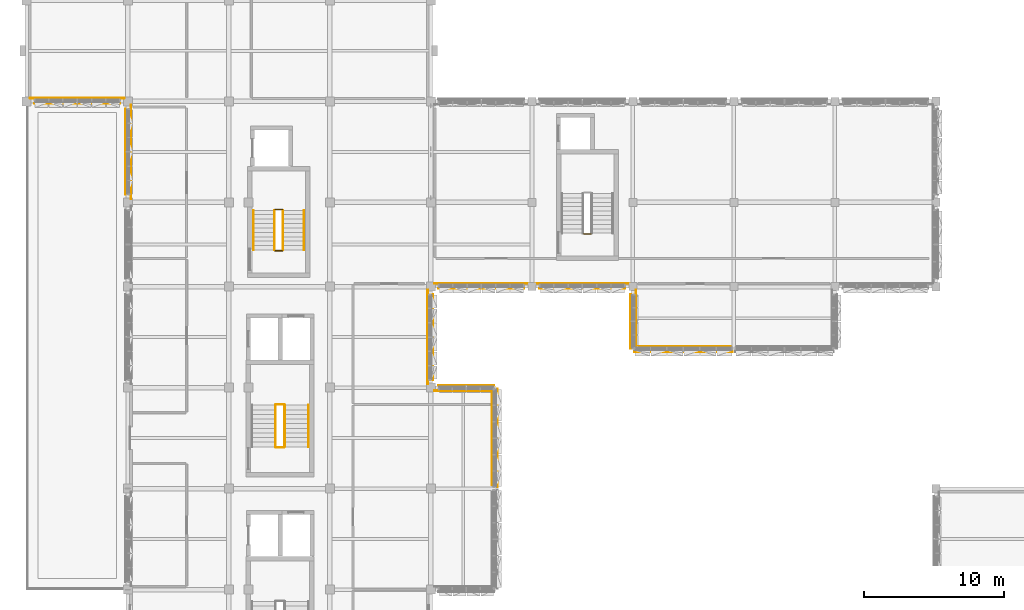
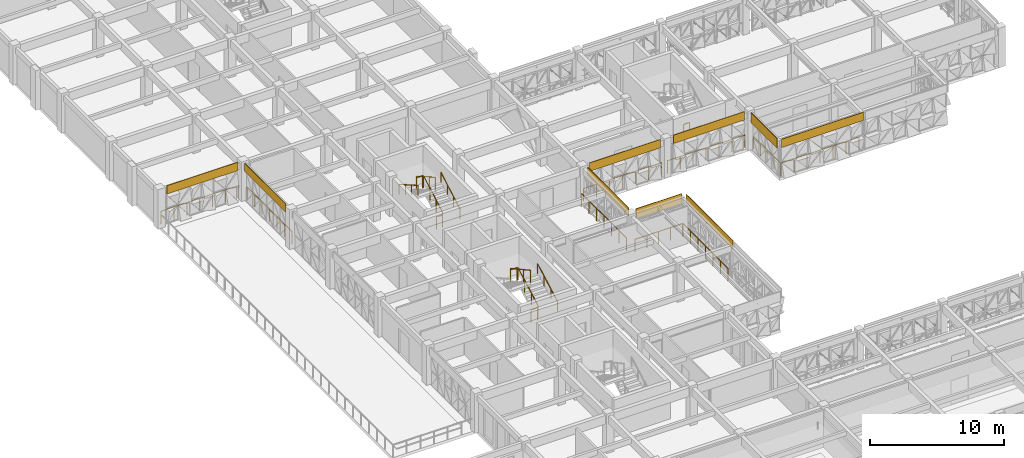
# One storey, part 70 of 85: 21 railings, 9 coverings.
"""IFC4 building model written with IfcOpenShell, lengths in metres."""

from ifc_helpers import new_model, si_unit, direction, frame, origin, origin_2d, place, context, subcontext, project, spatial, polyline, circle, outline, extrude, material, layer, layer_set, type_object, element, save


model = new_model("IFC4")

# Units and contexts
model_context = context("Model", 3, precision=1e-05, world=origin(), true_north=direction((0.0, 1.0)))
body_context = subcontext(model_context, "Body", "Model", "MODEL_VIEW")
ifc_project = project(units=[si_unit("LENGTHUNIT", "METRE"), si_unit("AREAUNIT", "SQUARE_METRE"), si_unit("VOLUMEUNIT", "CUBIC_METRE"), si_unit("PLANEANGLEUNIT", "RADIAN"), si_unit("MASSUNIT", "GRAM", prefix="KILO")], contexts=[model_context])

# Site, building, storey
site_placement = place(None, origin())
site = spatial("IfcSite", under=ifc_project, at=site_placement, CompositionType="ELEMENT")
building_placement = place(site_placement, origin())
building = spatial("IfcBuilding", under=site, at=building_placement, Name="Alvorim Cloister Faculty of Sciences", CompositionType="ELEMENT")
storey_placement = place(building_placement, frame((0.0, 0.0, 8.550048828125)))
storey = spatial("IfcBuildingStorey", under=building, at=storey_placement, Name="L02", CompositionType="ELEMENT", Elevation=8.550048828125)

# Coverings
ifc_material_1 = material(Name="Anodised Aluminium Alloy 6063-T6", Category="aluminium")
ifc_layer = layer(ifc_material_1, 0.031982421875)
ifc_layer_set = layer_set([ifc_layer], Name="Anodised Aluminium Alloy 6063-T6")
covering_type = type_object("IfcCoveringType", Name="COV-FAC-CAS", PredefinedType="CLADDING", material=ifc_layer_set)
for number, where, z_axis, x_axis, name in (
    (1, (7.050048828125, 49.739990234375, 2.829833984375), (0.0, 0.0, 1.0), (0.0, 1.0, 0.0), "L02 Shifted Bar Slab-Edge Architectural Fascia"),
    (2, (0.5400390625, 56.25, 2.829833984375), (0.0, 0.0, 1.0), (1.0, 0.0, 0.0), "L02 Shifted Bar Slab-Edge Architectural Fascia"),
):
    element("IfcCovering", number, at=place(storey_placement, frame(where, z_axis=z_axis, x_axis=x_axis)), inside=storey, type_object=covering_type, Name=name, PredefinedType="CLADDING", context=body_context, shape_type="SweptSolid", body=[
        extrude(outline(polyline([(0.0, 0.0), (6.1201171875, 0.0), (6.1201171875, 0.760009765625), (0.0, 0.760009765625), (0.0, 0.0)])), frame((0.0, 0.0224609375, 0.0), z_axis=(0.0, -1.0, 0.0), x_axis=(1.0, 0.0, 0.0)), (0.0, 0.0, 1.0), 0.044921875),
    ])
covering_1_placement = place(storey_placement, frame((43.280029296875, 38.550048828125, 2.8369140625), z_axis=(0.0, 0.0, 1.0), x_axis=(1.0, 0.0, 0.0)))
element("IfcCovering", 3, at=covering_1_placement, inside=storey, type_object=covering_type, Name="L02 Shifted Bar Slab-Edge Architectural Fascia", PredefinedType="CLADDING", context=body_context, shape_type="SweptSolid", body=[
    extrude(outline(polyline([(0.0, 0.0), (7.0400390625, 0.0), (7.0400390625, 0.7529296875), (0.0, 0.7529296875), (0.0, 0.0)])), frame((0.0, 0.0224609375, 0.0), z_axis=(0.0, -1.0, 0.0), x_axis=(1.0, 0.0, 0.0)), (0.0, 0.0, 1.0), 0.044921875),
])
covering_2_placement = place(storey_placement, frame((43.050048828125, 38.780029296875, 2.68603515625), z_axis=(0.0, 0.0, 1.0), x_axis=(0.0, 1.0, 0.0)))
element("IfcCovering", 4, at=covering_2_placement, inside=storey, type_object=covering_type, Name="L02 Shifted Bar Slab-Edge Architectural Fascia", PredefinedType="CLADDING", context=body_context, shape_type="SweptSolid", body=[
    extrude(outline(polyline([(0.0, 0.0), (3.8798828125, 0.0), (3.8798828125, 0.90380859375), (0.0, 0.90380859375), (0.0, 0.0)])), frame((0.0, 0.0224609375, 0.0), z_axis=(0.0, -1.0, 0.0), x_axis=(1.0, 0.0, 0.0)), (0.0, 0.0, 1.0), 0.044921875),
])
for number, where, z_axis, x_axis, name in (
    (5, (36.5400390625, 43.050048828125, 2.829833984375), (0.0, 0.0, 1.0), (1.0, 0.0, 0.0), "L02 Shifted Bar Slab-Edge Architectural Fascia"),
    (6, (29.340087890625, 43.050048828125, 2.829833984375), (0.0, 0.0, 1.0), (1.0, 0.0, 0.0), "L02 Shifted Bar Slab-Edge Architectural Fascia"),
    (7, (28.949951171875, 36.5400390625, 2.829833984375), (0.0, 0.0, 1.0), (0.0, 1.0, 0.0), "L02 Shifted Bar Slab-Edge Architectural Fascia"),
):
    element("IfcCovering", number, at=place(storey_placement, frame(where, z_axis=z_axis, x_axis=x_axis)), inside=storey, type_object=covering_type, Name=name, PredefinedType="CLADDING", context=body_context, shape_type="SweptSolid", body=[
        extrude(outline(polyline([(0.0, 0.0), (6.1201171875, 0.0), (6.1201171875, 0.760009765625), (0.0, 0.760009765625), (0.0, 0.0)])), frame((0.0, 0.0224609375, 0.0), z_axis=(0.0, -1.0, 0.0), x_axis=(1.0, 0.0, 0.0)), (0.0, 0.0, 1.0), 0.044921875),
    ])
covering_3_placement = place(storey_placement, frame((29.340087890625, 36.14990234375, 2.68603515625), z_axis=(0.0, 0.0, 1.0), x_axis=(1.0, 0.0, 0.0)))
element("IfcCovering", 8, at=covering_3_placement, inside=storey, type_object=covering_type, Name="L02 Shifted Bar Slab-Edge Architectural Fascia", PredefinedType="CLADDING", context=body_context, shape_type="SweptSolid", body=[
    extrude(outline(polyline([(0.0, 0.0), (3.97998046875, 0.0), (3.97998046875, 0.90380859375), (0.0, 0.90380859375), (0.0, 0.0)])), frame((0.0, 0.0224609375, 0.0), z_axis=(0.0, -1.0, 0.0), x_axis=(1.0, 0.0, 0.0)), (0.0, 0.0, 1.0), 0.044921875),
])
covering_4_placement = place(storey_placement, frame((33.550048828125, 28.8798828125, 2.8369140625), z_axis=(0.0, 0.0, 1.0), x_axis=(0.0, 1.0, 0.0)))
element("IfcCovering", 9, at=covering_4_placement, inside=storey, type_object=covering_type, Name="L02 Shifted Bar Slab-Edge Architectural Fascia", PredefinedType="CLADDING", context=body_context, shape_type="SweptSolid", body=[
    extrude(outline(polyline([(0.0, 0.0), (7.0400390625, 0.0), (7.0400390625, 0.7529296875), (0.0, 0.7529296875), (0.0, 0.0)])), frame((0.0, 0.0224609375, 0.0), z_axis=(0.0, -1.0, 0.0), x_axis=(1.0, 0.0, 0.0)), (0.0, 0.0, 1.0), 0.044921875),
])

# Railings
ifc_material_2 = material(Name="Laminated Safety Glass and Bronze", Category="glass")
railing_type_1 = type_object("IfcRailingType", Name="RL-ATR-BAL-1150", PredefinedType="BALUSTRADE", material=ifc_material_2)
railing_1_placement = place(storey_placement, frame((7.419921875, 49.449951171875, 0.0)))
element("IfcRailing", 10, at=railing_1_placement, inside=storey, type_object=railing_type_1, Name="L02 Curtain Wall Sill Guard BL-48", PredefinedType="BALUSTRADE", context=body_context, shape_type="SweptSolid", body=[
    extrude(circle(Radius=0.02392578125, at=origin_2d()), frame((0.0, 0.0, 1.1259765625), z_axis=(0.0, 1.0, 0.0), x_axis=(-1.0, 0.0, 0.0)), (0.0, 0.0, 1.0), 6.699951171875),
    extrude(circle(Radius=0.02099609375, at=origin_2d()), origin(), (0.0, 0.0, 1.0), 1.101806640625),
    extrude(circle(Radius=0.02099609375, at=origin_2d()), frame((0.0, 1.11669921875, 0.0)), (0.0, 0.0, 1.0), 1.101806640625),
    extrude(circle(Radius=0.02099609375, at=origin_2d()), frame((0.0, 2.2333984375, 0.0)), (0.0, 0.0, 1.0), 1.101806640625),
    extrude(circle(Radius=0.02099609375, at=origin_2d()), frame((0.0, 3.35009765625, 0.0)), (0.0, 0.0, 1.0), 1.101806640625),
    extrude(circle(Radius=0.02099609375, at=origin_2d()), frame((0.0, 4.466552734375, 0.0)), (0.0, 0.0, 1.0), 1.101806640625),
    extrude(circle(Radius=0.02099609375, at=origin_2d()), frame((0.0, 5.583251953125, 0.0)), (0.0, 0.0, 1.0), 1.101806640625),
    extrude(circle(Radius=0.02099609375, at=origin_2d()), frame((0.0, 6.699951171875, 0.0)), (0.0, 0.0, 1.0), 1.101806640625),
])
for number, where, name in (
    (11, (0.25, 56.6201171875, 0.0), "L02 Curtain Wall Sill Guard BL-49"),
    (12, (43.449951171875, 38.919921875, 0.0), "L02 Curtain Wall Sill Guard BL-60"),
):
    element("IfcRailing", number, at=place(storey_placement, frame(where)), inside=storey, type_object=railing_type_1, Name=name, PredefinedType="BALUSTRADE", context=body_context, shape_type="SweptSolid", body=[
        extrude(circle(Radius=0.02392578125, at=origin_2d()), frame((0.0, 0.0, 1.1259765625), z_axis=(1.0, 0.0, 0.0), x_axis=(0.0, 1.0, 0.0)), (0.0, 0.0, 1.0), 6.699951171875),
        extrude(circle(Radius=0.02099609375, at=origin_2d()), origin(), (0.0, 0.0, 1.0), 1.101806640625),
        extrude(circle(Radius=0.02099609375, at=origin_2d()), frame((1.11669921875, 0.0, 0.0)), (0.0, 0.0, 1.0), 1.101806640625),
        extrude(circle(Radius=0.02099609375, at=origin_2d()), frame((2.2333984375, 0.0, 0.0)), (0.0, 0.0, 1.0), 1.101806640625),
        extrude(circle(Radius=0.02099609375, at=origin_2d()), frame((3.35009765625, 0.0, 0.0)), (0.0, 0.0, 1.0), 1.101806640625),
        extrude(circle(Radius=0.02099609375, at=origin_2d()), frame((4.466552734375, 0.0, 0.0)), (0.0, 0.0, 1.0), 1.101806640625),
        extrude(circle(Radius=0.02099609375, at=origin_2d()), frame((5.583251953125, 0.0, 0.0)), (0.0, 0.0, 1.0), 1.101806640625),
        extrude(circle(Radius=0.02099609375, at=origin_2d()), frame((6.699951171875, 0.0, 0.0)), (0.0, 0.0, 1.0), 1.101806640625),
    ])
railing_2_placement = place(storey_placement, frame((43.419921875, 38.949951171875, 0.0)))
element("IfcRailing", 13, at=railing_2_placement, inside=storey, type_object=railing_type_1, Name="L02 Curtain Wall Sill Guard BL-61", PredefinedType="BALUSTRADE", context=body_context, shape_type="SweptSolid", body=[
    extrude(circle(Radius=0.02392578125, at=origin_2d()), frame((0.0, 0.0, 1.1259765625), z_axis=(0.0, 1.0, 0.0), x_axis=(-1.0, 0.0, 0.0)), (0.0, 0.0, 1.0), 4.0),
    extrude(circle(Radius=0.02099609375, at=origin_2d()), origin(), (0.0, 0.0, 1.0), 1.101806640625),
    extrude(circle(Radius=0.02099609375, at=origin_2d()), frame((0.0, 1.0, 0.0)), (0.0, 0.0, 1.0), 1.101806640625),
    extrude(circle(Radius=0.02099609375, at=origin_2d()), frame((0.0, 2.0, 0.0)), (0.0, 0.0, 1.0), 1.101806640625),
    extrude(circle(Radius=0.02099609375, at=origin_2d()), frame((0.0, 3.0, 0.0)), (0.0, 0.0, 1.0), 1.101806640625),
    extrude(circle(Radius=0.02099609375, at=origin_2d()), frame((0.0, 4.0, 0.0)), (0.0, 0.0, 1.0), 1.101806640625),
])
for number, where, name in (
    (14, (36.25, 43.419921875, 0.0), "L02 Curtain Wall Sill Guard BL-62"),
    (15, (29.050048828125, 43.419921875, 0.0), "L02 Curtain Wall Sill Guard BL-63"),
):
    element("IfcRailing", number, at=place(storey_placement, frame(where)), inside=storey, type_object=railing_type_1, Name=name, PredefinedType="BALUSTRADE", context=body_context, shape_type="SweptSolid", body=[
        extrude(circle(Radius=0.02392578125, at=origin_2d()), frame((0.0, 0.0, 1.1259765625), z_axis=(1.0, 0.0, 0.0), x_axis=(0.0, 1.0, 0.0)), (0.0, 0.0, 1.0), 6.699951171875),
        extrude(circle(Radius=0.02099609375, at=origin_2d()), origin(), (0.0, 0.0, 1.0), 1.101806640625),
        extrude(circle(Radius=0.02099609375, at=origin_2d()), frame((1.11669921875, 0.0, 0.0)), (0.0, 0.0, 1.0), 1.101806640625),
        extrude(circle(Radius=0.02099609375, at=origin_2d()), frame((2.2333984375, 0.0, 0.0)), (0.0, 0.0, 1.0), 1.101806640625),
        extrude(circle(Radius=0.02099609375, at=origin_2d()), frame((3.35009765625, 0.0, 0.0)), (0.0, 0.0, 1.0), 1.101806640625),
        extrude(circle(Radius=0.02099609375, at=origin_2d()), frame((4.466552734375, 0.0, 0.0)), (0.0, 0.0, 1.0), 1.101806640625),
        extrude(circle(Radius=0.02099609375, at=origin_2d()), frame((5.583251953125, 0.0, 0.0)), (0.0, 0.0, 1.0), 1.101806640625),
        extrude(circle(Radius=0.02099609375, at=origin_2d()), frame((6.699951171875, 0.0, 0.0)), (0.0, 0.0, 1.0), 1.101806640625),
    ])
railing_3_placement = place(storey_placement, frame((28.580078125, 36.25, 0.0)))
element("IfcRailing", 16, at=railing_3_placement, inside=storey, type_object=railing_type_1, Name="L02 Curtain Wall Sill Guard BL-64", PredefinedType="BALUSTRADE", context=body_context, shape_type="SweptSolid", body=[
    extrude(circle(Radius=0.02392578125, at=origin_2d()), frame((0.0, 0.0, 1.1259765625), z_axis=(0.0, 1.0, 0.0), x_axis=(-1.0, 0.0, 0.0)), (0.0, 0.0, 1.0), 6.699951171875),
    extrude(circle(Radius=0.02099609375, at=origin_2d()), origin(), (0.0, 0.0, 1.0), 1.101806640625),
    extrude(circle(Radius=0.02099609375, at=origin_2d()), frame((0.0, 1.11669921875, 0.0)), (0.0, 0.0, 1.0), 1.101806640625),
    extrude(circle(Radius=0.02099609375, at=origin_2d()), frame((0.0, 2.2333984375, 0.0)), (0.0, 0.0, 1.0), 1.101806640625),
    extrude(circle(Radius=0.02099609375, at=origin_2d()), frame((0.0, 3.35009765625, 0.0)), (0.0, 0.0, 1.0), 1.101806640625),
    extrude(circle(Radius=0.02099609375, at=origin_2d()), frame((0.0, 4.466552734375, 0.0)), (0.0, 0.0, 1.0), 1.101806640625),
    extrude(circle(Radius=0.02099609375, at=origin_2d()), frame((0.0, 5.583251953125, 0.0)), (0.0, 0.0, 1.0), 1.101806640625),
    extrude(circle(Radius=0.02099609375, at=origin_2d()), frame((0.0, 6.699951171875, 0.0)), (0.0, 0.0, 1.0), 1.101806640625),
])
railing_4_placement = place(storey_placement, frame((29.050048828125, 35.780029296875, 0.0)))
element("IfcRailing", 17, at=railing_4_placement, inside=storey, type_object=railing_type_1, Name="L02 Curtain Wall Sill Guard BL-65", PredefinedType="BALUSTRADE", context=body_context, shape_type="SweptSolid", body=[
    extrude(circle(Radius=0.02392578125, at=origin_2d()), frame((0.0, 0.0, 1.1259765625), z_axis=(1.0, 0.0, 0.0), x_axis=(0.0, 1.0, 0.0)), (0.0, 0.0, 1.0), 4.099853515625),
    extrude(circle(Radius=0.02099609375, at=origin_2d()), origin(), (0.0, 0.0, 1.0), 1.101806640625),
    extrude(circle(Radius=0.02099609375, at=origin_2d()), frame((1.02490234375, 0.0, 0.0)), (0.0, 0.0, 1.0), 1.101806640625),
    extrude(circle(Radius=0.02099609375, at=origin_2d()), frame((2.0498046875, 0.0, 0.0)), (0.0, 0.0, 1.0), 1.101806640625),
    extrude(circle(Radius=0.02099609375, at=origin_2d()), frame((3.074951171875, 0.0, 0.0)), (0.0, 0.0, 1.0), 1.101806640625),
    extrude(circle(Radius=0.02099609375, at=origin_2d()), frame((4.099853515625, 0.0, 0.0)), (0.0, 0.0, 1.0), 1.101806640625),
])
railing_5_placement = place(storey_placement, frame((33.179931640625, 29.050048828125, 0.0)))
element("IfcRailing", 18, at=railing_5_placement, inside=storey, type_object=railing_type_1, Name="L02 Curtain Wall Sill Guard BL-66", PredefinedType="BALUSTRADE", context=body_context, shape_type="SweptSolid", body=[
    extrude(circle(Radius=0.02392578125, at=origin_2d()), frame((0.0, 0.0, 1.1259765625), z_axis=(0.0, 1.0, 0.0), x_axis=(-1.0, 0.0, 0.0)), (0.0, 0.0, 1.0), 6.699951171875),
    extrude(circle(Radius=0.02099609375, at=origin_2d()), origin(), (0.0, 0.0, 1.0), 1.101806640625),
    extrude(circle(Radius=0.02099609375, at=origin_2d()), frame((0.0, 1.11669921875, 0.0)), (0.0, 0.0, 1.0), 1.101806640625),
    extrude(circle(Radius=0.02099609375, at=origin_2d()), frame((0.0, 2.2333984375, 0.0)), (0.0, 0.0, 1.0), 1.101806640625),
    extrude(circle(Radius=0.02099609375, at=origin_2d()), frame((0.0, 3.35009765625, 0.0)), (0.0, 0.0, 1.0), 1.101806640625),
    extrude(circle(Radius=0.02099609375, at=origin_2d()), frame((0.0, 4.466552734375, 0.0)), (0.0, 0.0, 1.0), 1.101806640625),
    extrude(circle(Radius=0.02099609375, at=origin_2d()), frame((0.0, 5.583251953125, 0.0)), (0.0, 0.0, 1.0), 1.101806640625),
    extrude(circle(Radius=0.02099609375, at=origin_2d()), frame((0.0, 6.699951171875, 0.0)), (0.0, 0.0, 1.0), 1.101806640625),
])
ifc_material_3 = material(Name="Galvanised Painted Steel", Category="steel")
railing_type_2 = type_object("IfcRailingType", Name="RL-STR-GUARD", PredefinedType="GUARDRAIL", material=ifc_material_3)
railing_6_placement = place(storey_placement, frame((18.389892578125, 31.780029296875, 0.179931640625)))
element("IfcRailing", 19, at=railing_6_placement, inside=storey, type_object=railing_type_2, Name="L02 ST-02 stair guard 1", PredefinedType="GUARDRAIL", context=body_context, shape_type="SweptSolid", body=[
    extrude(circle(Radius=0.02392578125, at=origin_2d()), frame((0.0, 0.0, 1.09619140625), z_axis=(0.0, 0.877879025156, 0.47888246699), x_axis=(-1.0, 0.0, 0.0)), (0.0, 0.0, 1.0), 3.383056640625),
    extrude(circle(Radius=0.02099609375, at=origin_2d()), origin(), (0.0, 0.0, 1.0), 1.072021484375),
    extrude(circle(Radius=0.02099609375, at=origin_2d()), frame((0.0, 0.989990234375, 0.5400390625)), (0.0, 0.0, 1.0), 1.072021484375),
    extrude(circle(Radius=0.02099609375, at=origin_2d()), frame((0.0, 1.97998046875, 1.080078125)), (0.0, 0.0, 1.0), 1.072021484375),
    extrude(circle(Radius=0.02099609375, at=origin_2d()), frame((0.0, 2.969970703125, 1.6201171875)), (0.0, 0.0, 1.0), 1.072021484375),
])
railing_7_placement = place(storey_placement, frame((18.340087890625, 34.800048828125, 1.800048828125)))
element("IfcRailing", 20, at=railing_7_placement, inside=storey, type_object=railing_type_2, Name="L02 ST-02 stair guard 2", PredefinedType="GUARDRAIL", context=body_context, shape_type="SweptSolid", body=[
    extrude(circle(Radius=0.02392578125, at=origin_2d()), frame((0.0, 0.0, 1.09619140625), z_axis=(-1.0, 0.0, 0.0), x_axis=(0.0, -1.0, 0.0)), (0.0, 0.0, 1.0), 0.56005859375),
    extrude(circle(Radius=0.02099609375, at=origin_2d()), origin(), (0.0, 0.0, 1.0), 1.072021484375),
    extrude(circle(Radius=0.02099609375, at=origin_2d()), frame((-0.56005859375, 0.0, 0.0)), (0.0, 0.0, 1.0), 1.072021484375),
])
railing_8_placement = place(storey_placement, frame((17.72998046875, 34.75, 1.97998046875)))
element("IfcRailing", 21, at=railing_8_placement, inside=storey, type_object=railing_type_2, Name="L02 ST-02 stair guard 3", PredefinedType="GUARDRAIL", context=body_context, shape_type="SweptSolid", body=[
    extrude(circle(Radius=0.02392578125, at=origin_2d()), frame((0.0, 0.0, 1.09619140625), z_axis=(0.0, -0.877909362389, 0.478826849112), x_axis=(1.0, 0.0, 0.0)), (0.0, 0.0, 1.0), 3.383056640625),
    extrude(circle(Radius=0.02099609375, at=origin_2d()), origin(), (0.0, 0.0, 1.0), 1.072021484375),
    extrude(circle(Radius=0.02099609375, at=origin_2d()), frame((0.0, -0.989990234375, 0.5400390625)), (0.0, 0.0, 1.0), 1.072021484375),
    extrude(circle(Radius=0.02099609375, at=origin_2d()), frame((0.0, -1.97998046875, 1.079833984375)), (0.0, 0.0, 1.0), 1.072021484375),
    extrude(circle(Radius=0.02099609375, at=origin_2d()), frame((0.0, -2.969970703125, 1.619873046875)), (0.0, 0.0, 1.0), 1.072021484375),
])
railing_9_placement = place(storey_placement, frame((18.340087890625, 31.72998046875, 0.0)))
element("IfcRailing", 22, at=railing_9_placement, inside=storey, type_object=railing_type_2, Name="L02 ST-02 stair guard 4", PredefinedType="GUARDRAIL", context=body_context, shape_type="SweptSolid", body=[
    extrude(circle(Radius=0.02392578125, at=origin_2d()), frame((0.0, 0.0, 1.09619140625), z_axis=(-1.0, 0.0, 0.0), x_axis=(0.0, -1.0, 0.0)), (0.0, 0.0, 1.0), 0.56005859375),
    extrude(circle(Radius=0.02099609375, at=origin_2d()), origin(), (0.0, 0.0, 1.0), 1.072021484375),
    extrude(circle(Radius=0.02099609375, at=origin_2d()), frame((-0.56005859375, 0.0, 0.0)), (0.0, 0.0, 1.0), 1.072021484375),
])
railing_10_placement = place(storey_placement, frame((18.27001953125, 45.800048828125, 0.179931640625)))
element("IfcRailing", 23, at=railing_10_placement, inside=storey, type_object=railing_type_2, Name="L02 ST-03 stair guard 1", PredefinedType="GUARDRAIL", context=body_context, shape_type="SweptSolid", body=[
    extrude(circle(Radius=0.02392578125, at=origin_2d()), frame((0.0, 0.0, 1.09619140625), z_axis=(0.0, 0.868224736699, 0.496171146464), x_axis=(-1.0, 0.0, 0.0)), (0.0, 0.0, 1.0), 3.26513671875),
    extrude(circle(Radius=0.02099609375, at=origin_2d()), origin(), (0.0, 0.0, 1.0), 1.072021484375),
    extrude(circle(Radius=0.02099609375, at=origin_2d()), frame((0.0, 0.945068359375, 0.5400390625)), (0.0, 0.0, 1.0), 1.072021484375),
    extrude(circle(Radius=0.02099609375, at=origin_2d()), frame((0.0, 1.889892578125, 1.080078125)), (0.0, 0.0, 1.0), 1.072021484375),
    extrude(circle(Radius=0.02099609375, at=origin_2d()), frame((0.0, 2.8349609375, 1.6201171875)), (0.0, 0.0, 1.0), 1.072021484375),
])
railing_11_placement = place(storey_placement, frame((18.219970703125, 48.68505859375, 1.800048828125)))
element("IfcRailing", 24, at=railing_11_placement, inside=storey, type_object=railing_type_2, Name="L02 ST-03 stair guard 2", PredefinedType="GUARDRAIL", context=body_context, shape_type="SweptSolid", body=[
    extrude(circle(Radius=0.02392578125, at=origin_2d()), frame((0.0, 0.0, 1.09619140625), z_axis=(-1.0, 0.0, 0.0), x_axis=(0.0, -1.0, 0.0)), (0.0, 0.0, 1.0), 0.52001953125),
    extrude(circle(Radius=0.02099609375, at=origin_2d()), origin(), (0.0, 0.0, 1.0), 1.072021484375),
    extrude(circle(Radius=0.02099609375, at=origin_2d()), frame((-0.52001953125, 0.0, 0.0)), (0.0, 0.0, 1.0), 1.072021484375),
])
railing_12_placement = place(storey_placement, frame((17.64990234375, 48.635009765625, 1.97998046875)))
element("IfcRailing", 25, at=railing_12_placement, inside=storey, type_object=railing_type_2, Name="L02 ST-03 stair guard 3", PredefinedType="GUARDRAIL", context=body_context, shape_type="SweptSolid", body=[
    extrude(circle(Radius=0.02392578125, at=origin_2d()), frame((0.0, 0.0, 1.09619140625), z_axis=(0.0, -0.868256945921, 0.496114780932), x_axis=(1.0, 0.0, 0.0)), (0.0, 0.0, 1.0), 3.26513671875),
    extrude(circle(Radius=0.02099609375, at=origin_2d()), origin(), (0.0, 0.0, 1.0), 1.072021484375),
    extrude(circle(Radius=0.02099609375, at=origin_2d()), frame((0.0, -0.945068359375, 0.5400390625)), (0.0, 0.0, 1.0), 1.072021484375),
    extrude(circle(Radius=0.02099609375, at=origin_2d()), frame((0.0, -1.889892578125, 1.079833984375)), (0.0, 0.0, 1.0), 1.072021484375),
    extrude(circle(Radius=0.02099609375, at=origin_2d()), frame((0.0, -2.8349609375, 1.619873046875)), (0.0, 0.0, 1.0), 1.072021484375),
])
for number, where, name in (
    (26, (18.219970703125, 45.75, 0.0), "L02 ST-03 stair guard 4"),
    (27, (40.219970703125, 46.949951171875, 0.0), "L02 ST-04 stair guard 4"),
):
    element("IfcRailing", number, at=place(storey_placement, frame(where)), inside=storey, type_object=railing_type_2, Name=name, PredefinedType="GUARDRAIL", context=body_context, shape_type="SweptSolid", body=[
        extrude(circle(Radius=0.02392578125, at=origin_2d()), frame((0.0, 0.0, 1.09619140625), z_axis=(-1.0, 0.0, 0.0), x_axis=(0.0, -1.0, 0.0)), (0.0, 0.0, 1.0), 0.52001953125),
        extrude(circle(Radius=0.02099609375, at=origin_2d()), origin(), (0.0, 0.0, 1.0), 1.072021484375),
        extrude(circle(Radius=0.02099609375, at=origin_2d()), frame((-0.52001953125, 0.0, 0.0)), (0.0, 0.0, 1.0), 1.072021484375),
    ])
ifc_material_4 = material(Name="Brushed Stainless Steel", Category="steel")
railing_type_3 = type_object("IfcRailingType", Name="RL-STR-HAND", PredefinedType="HANDRAIL", material=ifc_material_4)
railing_13_placement = place(storey_placement, frame((20.070068359375, 31.780029296875, 0.179931640625)))
element("IfcRailing", 28, at=railing_13_placement, inside=storey, type_object=railing_type_3, Name="L02 ST-02 stair handrail 1", PredefinedType="HANDRAIL", context=body_context, shape_type="SweptSolid", body=[
    extrude(circle(Radius=0.02392578125, at=origin_2d()), frame((0.0, 0.0, 0.8759765625), z_axis=(0.0, 0.877879025156, 0.47888246699), x_axis=(-1.0, 0.0, 0.0)), (0.0, 0.0, 1.0), 3.383056640625),
    extrude(circle(Radius=0.02099609375, at=origin_2d()), origin(), (0.0, 0.0, 1.0), 0.851806640625),
    extrude(circle(Radius=0.02099609375, at=origin_2d()), frame((0.0, 0.989990234375, 0.5400390625)), (0.0, 0.0, 1.0), 0.851806640625),
    extrude(circle(Radius=0.02099609375, at=origin_2d()), frame((0.0, 1.97998046875, 1.080078125)), (0.0, 0.0, 1.0), 0.851806640625),
    extrude(circle(Radius=0.02099609375, at=origin_2d()), frame((0.0, 2.969970703125, 1.6201171875)), (0.0, 0.0, 1.0), 0.851806640625),
])
railing_14_placement = place(storey_placement, frame((19.77001953125, 45.800048828125, 0.179931640625)))
element("IfcRailing", 29, at=railing_14_placement, inside=storey, type_object=railing_type_3, Name="L02 ST-03 stair handrail 1", PredefinedType="HANDRAIL", context=body_context, shape_type="SweptSolid", body=[
    extrude(circle(Radius=0.02392578125, at=origin_2d()), frame((0.0, 0.0, 0.8759765625), z_axis=(0.0, 0.868224736699, 0.496171146464), x_axis=(-1.0, 0.0, 0.0)), (0.0, 0.0, 1.0), 3.26513671875),
    extrude(circle(Radius=0.02099609375, at=origin_2d()), origin(), (0.0, 0.0, 1.0), 0.851806640625),
    extrude(circle(Radius=0.02099609375, at=origin_2d()), frame((0.0, 0.945068359375, 0.5400390625)), (0.0, 0.0, 1.0), 0.851806640625),
    extrude(circle(Radius=0.02099609375, at=origin_2d()), frame((0.0, 1.889892578125, 1.080078125)), (0.0, 0.0, 1.0), 0.851806640625),
    extrude(circle(Radius=0.02099609375, at=origin_2d()), frame((0.0, 2.8349609375, 1.6201171875)), (0.0, 0.0, 1.0), 0.851806640625),
])
railing_15_placement = place(storey_placement, frame((16.14990234375, 48.635009765625, 1.97998046875)))
element("IfcRailing", 30, at=railing_15_placement, inside=storey, type_object=railing_type_3, Name="L02 ST-03 stair handrail 2", PredefinedType="HANDRAIL", context=body_context, shape_type="SweptSolid", body=[
    extrude(circle(Radius=0.02392578125, at=origin_2d()), frame((0.0, 0.0, 0.8759765625), z_axis=(0.0, -0.868256945921, 0.496114780932), x_axis=(1.0, 0.0, 0.0)), (0.0, 0.0, 1.0), 3.26513671875),
    extrude(circle(Radius=0.02099609375, at=origin_2d()), origin(), (0.0, 0.0, 1.0), 0.851806640625),
    extrude(circle(Radius=0.02099609375, at=origin_2d()), frame((0.0, -0.945068359375, 0.5400390625)), (0.0, 0.0, 1.0), 0.851806640625),
    extrude(circle(Radius=0.02099609375, at=origin_2d()), frame((0.0, -1.889892578125, 1.079833984375)), (0.0, 0.0, 1.0), 0.851806640625),
    extrude(circle(Radius=0.02099609375, at=origin_2d()), frame((0.0, -2.8349609375, 1.619873046875)), (0.0, 0.0, 1.0), 0.851806640625),
])

save(model, "model.ifc")
